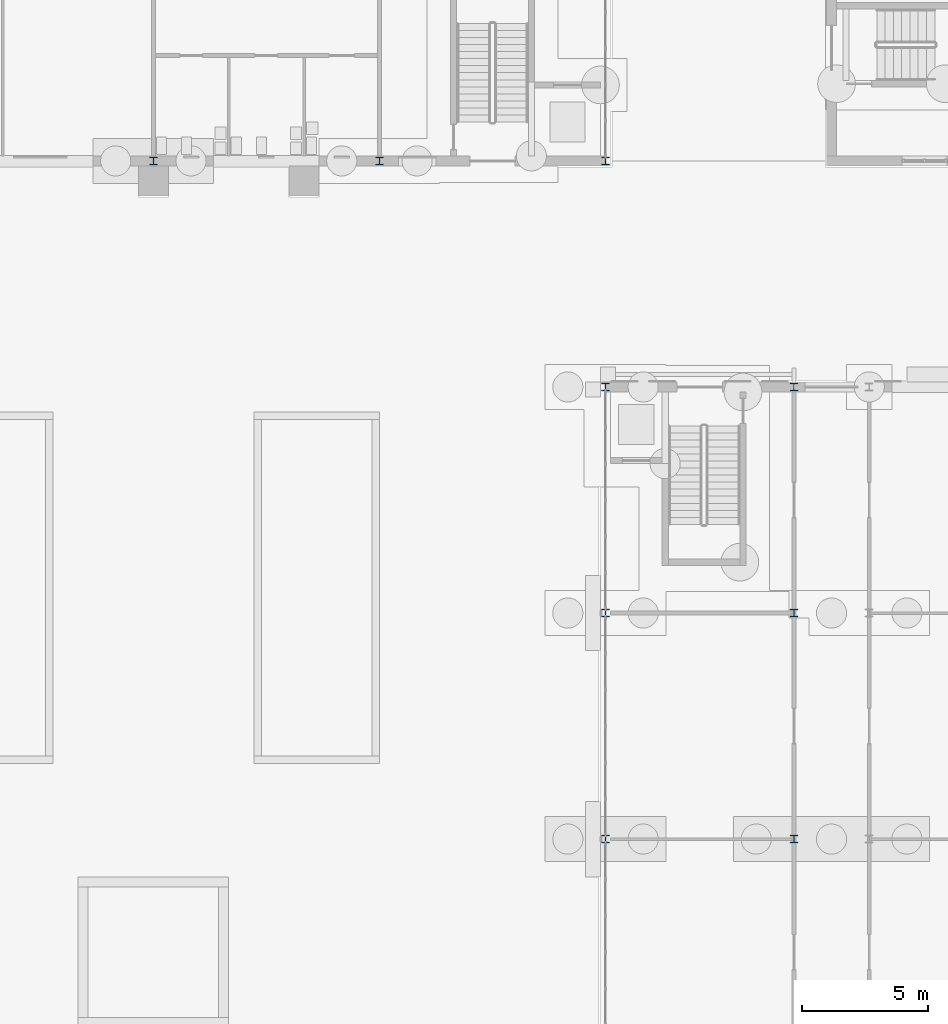
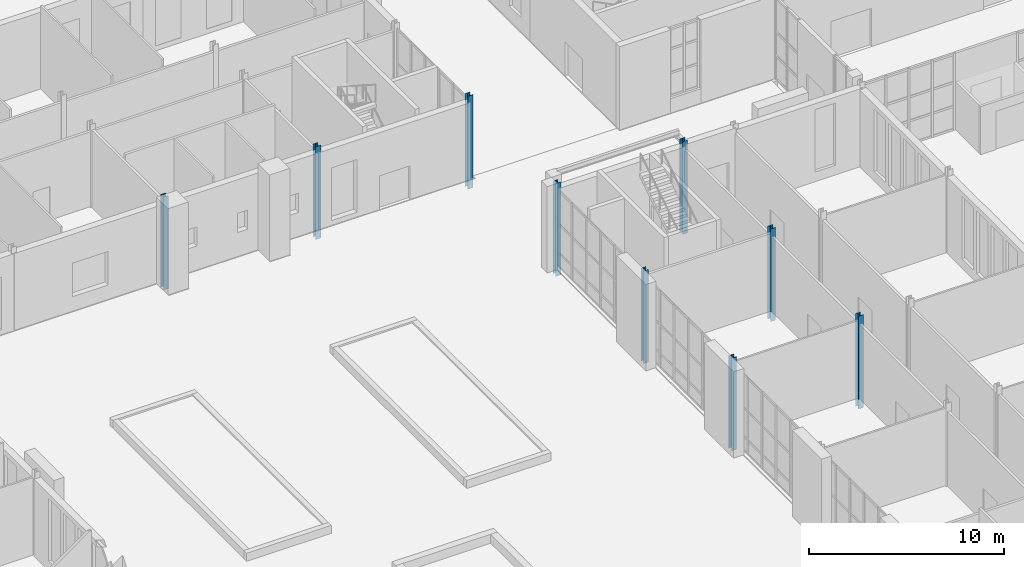
# One storey, part 19 of 168: 9 columns.
"""IFC4 building model written with IfcOpenShell, lengths in metres."""

from ifc_helpers import new_model, si_unit, direction, frame, origin, origin_2d, place, context, subcontext, project, spatial, i_section, extrude, material, material_profile, profile_set, type_object, element, save


model = new_model("IFC4")

# Units and contexts
model_context = context("Model", 3, precision=1e-05, world=origin(), true_north=direction((0.0, 1.0)))
body_context = subcontext(model_context, "Body", "Model", "MODEL_VIEW")
ifc_project = project(units=[si_unit("LENGTHUNIT", "METRE"), si_unit("AREAUNIT", "SQUARE_METRE"), si_unit("VOLUMEUNIT", "CUBIC_METRE"), si_unit("PLANEANGLEUNIT", "RADIAN"), si_unit("MASSUNIT", "GRAM", prefix="KILO")], contexts=[model_context])

# Site, building, storey
site_placement = place(None, origin())
site = spatial("IfcSite", under=ifc_project, at=site_placement, CompositionType="ELEMENT")
building_placement = place(site_placement, origin())
building = spatial("IfcBuilding", under=site, at=building_placement, Name="Golden Quay Civic Hall", CompositionType="ELEMENT")
storey_placement = place(building_placement, origin())
storey = spatial("IfcBuildingStorey", under=building, at=storey_placement, Name="L00", CompositionType="ELEMENT", Elevation=0.0)

# Columns
ifc_material_1 = material(Name="Steel S355", Category="steel")
ifc_material_profile_1 = material_profile(ifc_material_1, i_section(OverallWidth=0.300048828125, OverallDepth=0.2900390625, WebThickness=0.008544921875, FlangeThickness=0.013916015625, FilletRadius=0.027099609375, at=origin_2d()), Name="HEA 300")
ifc_profile_set_1 = profile_set([ifc_material_profile_1], Name="Steel S355")
column_type_1 = type_object("IfcColumnType", Name="Steel column HEA 300", PredefinedType="COLUMN", material=ifc_profile_set_1)
for number, where, z_axis, x_axis, name in (
    (1, (54.0, 36.0, -0.60009765625), (0.0, 0.0, 1.0), (1.0, 0.0, 0.0), "Column 54/36 L00"),
    (2, (54.0, 45.0, -0.60009765625), (0.0, 0.0, 1.0), (1.0, 0.0, 0.0), "Column 54/45 L00"),
    (3, (54.0, 54.0, -0.60009765625), (0.0, 0.0, 1.0), (1.0, 0.0, 0.0), "Column 54/54 L00"),
    (4, (61.5, 54.0, -0.60009765625), (0.0, 0.0, 1.0), (1.0, 0.0, 0.0), "Column 61.5/54 L00"),
):
    element("IfcColumn", number, at=place(storey_placement, frame(where, z_axis=z_axis, x_axis=x_axis)), inside=storey, type_object=column_type_1, Name=name, PredefinedType="COLUMN", context=body_context, shape_type="SweptSolid", body=[
        extrude(i_section(OverallWidth=0.300048828125, OverallDepth=0.2900390625, WebThickness=0.008544921875, FlangeThickness=0.013916015625, FilletRadius=0.027099609375, at=origin_2d()), origin(), (0.0, 0.0, 1.0), 5.800048828125),
    ])
ifc_material_2 = material(Name="Steel S355", Category="steel")
ifc_material_profile_2 = material_profile(ifc_material_2, i_section(OverallWidth=0.300048828125, OverallDepth=0.300048828125, WebThickness=0.010986328125, FlangeThickness=0.01904296875, FilletRadius=0.027099609375, at=origin_2d()), Name="HEB 300")
ifc_profile_set_2 = profile_set([ifc_material_profile_2], Name="Steel S355")
column_type_2 = type_object("IfcColumnType", Name="Steel column HEB 300", PredefinedType="COLUMN", material=ifc_profile_set_2)
for number, where, z_axis, x_axis, name in (
    (5, (36.0, 63.0, -0.60009765625), (0.0, 0.0, 1.0), (1.0, 0.0, 0.0), "Column 36/63 L00"),
    (6, (45.0, 63.0, -0.60009765625), (0.0, 0.0, 1.0), (1.0, 0.0, 0.0), "Column 45/63 L00"),
    (7, (54.0, 63.0, -0.60009765625), (0.0, 0.0, 1.0), (1.0, 0.0, 0.0), "Column 54/63 L00"),
    (8, (61.5, 36.0, -0.60009765625), (0.0, 0.0, 1.0), (1.0, 0.0, 0.0), "Column 61.5/36 L00"),
    (9, (61.5, 45.0, -0.60009765625), (0.0, 0.0, 1.0), (1.0, 0.0, 0.0), "Column 61.5/45 L00"),
):
    element("IfcColumn", number, at=place(storey_placement, frame(where, z_axis=z_axis, x_axis=x_axis)), inside=storey, type_object=column_type_2, Name=name, PredefinedType="COLUMN", context=body_context, shape_type="SweptSolid", body=[
        extrude(i_section(OverallWidth=0.300048828125, OverallDepth=0.300048828125, WebThickness=0.010986328125, FlangeThickness=0.01904296875, FilletRadius=0.027099609375, at=origin_2d()), origin(), (0.0, 0.0, 1.0), 5.800048828125),
    ])

save(model, "model.ifc")
